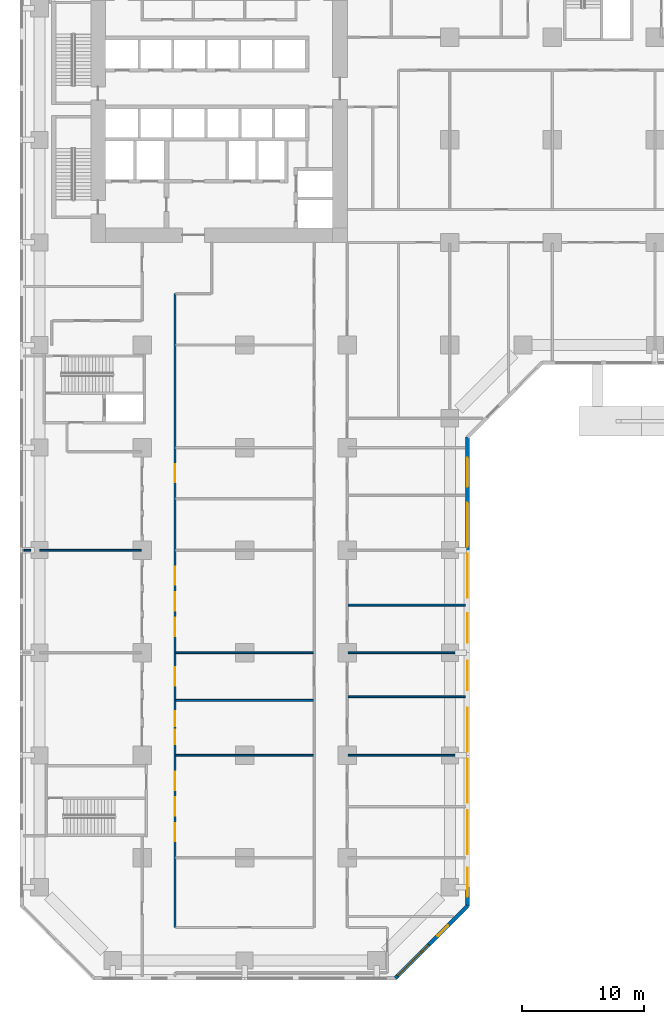
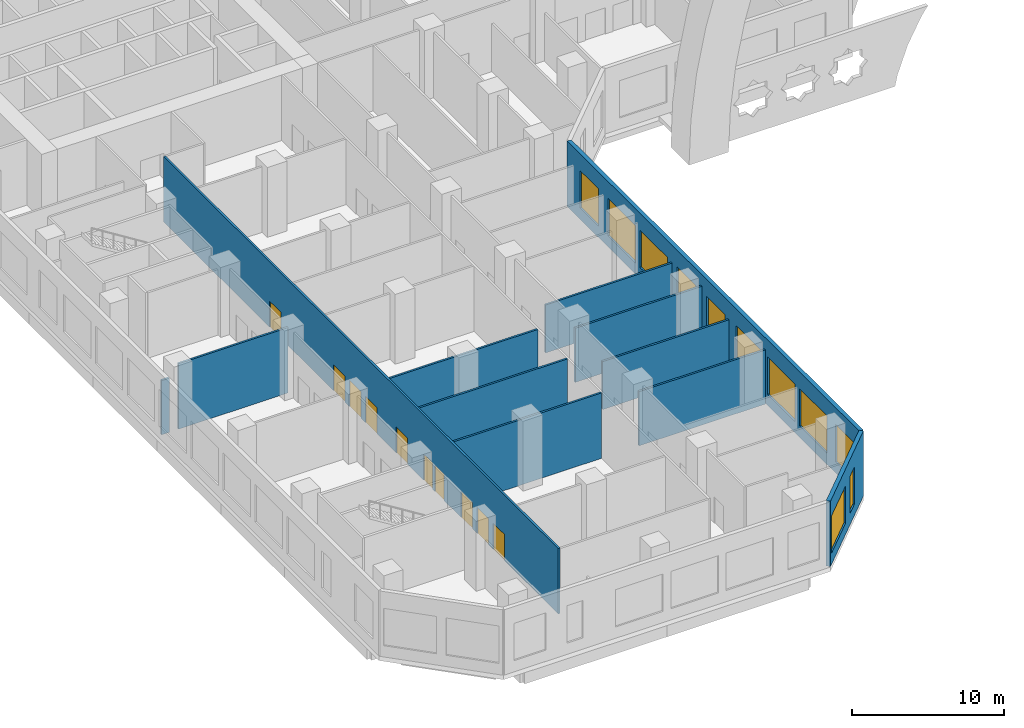
# One storey, part 4 of 19: 12 walls, 11 windows, 10 doors, 21 openings.
"""IFC4 building model written with IfcOpenShell, lengths in metres."""

from ifc_helpers import new_model, si_unit, direction, frame, frame_2d, origin, place, context, subcontext, project, spatial, rectangle, extrude, material, layer, layer_set, type_object, element, fill, save


model = new_model("IFC4")

# Units and contexts
model_context = context("Model", 3, precision=1e-05, world=origin(), true_north=direction((0.0, 1.0)))
body_context = subcontext(model_context, "Body", "Model", "MODEL_VIEW")
ifc_project = project(units=[si_unit("LENGTHUNIT", "METRE"), si_unit("AREAUNIT", "SQUARE_METRE"), si_unit("VOLUMEUNIT", "CUBIC_METRE"), si_unit("PLANEANGLEUNIT", "RADIAN"), si_unit("MASSUNIT", "GRAM", prefix="KILO")], contexts=[model_context])

# Site, building, storey
site_placement = place(None, origin())
site = spatial("IfcSite", under=ifc_project, at=site_placement, CompositionType="ELEMENT")
building_placement = place(site_placement, origin())
building = spatial("IfcBuilding", under=site, at=building_placement, Name="Kawkab Arch Medical Tower", CompositionType="ELEMENT")
storey_placement = place(building_placement, frame((0.0, 0.0, 12.60009765625)))
storey = spatial("IfcBuildingStorey", under=building, at=storey_placement, Name="L03", CompositionType="ELEMENT", Elevation=12.60009765625)

# Walls
ifc_material_1 = material(Name="Gypsum board partition on steel studs, mineral wool", Category="steel")
ifc_layer_1 = layer(ifc_material_1, 0.14990234375)
ifc_layer_set_1 = layer_set([ifc_layer_1], Name="Gypsum board partition on steel studs, mineral wool")
wall_type_1 = type_object("IfcWallType", Name="Partition 150", PredefinedType="PARTITIONING", material=ifc_layer_set_1)
wall_1_placement = place(storey_placement, frame((11.175048828125, -67.199951171875, 0.0), z_axis=(0.0, 0.0, 1.0), x_axis=(1.0, 0.0, 0.0)))
element("IfcWall", 1, at=wall_1_placement, inside=storey, type_object=wall_type_1, Name="Partition 150 w009", PredefinedType="PARTITIONING", context=body_context, shape_type="SweptSolid", body=[
    extrude(rectangle(XDim=11.25, YDim=0.14990234375, at=frame_2d((5.625, 0.0))), origin(), (0.0, 0.0, 1.0), 5.25),
])
wall_2_placement = place(storey_placement, frame((25.27490234375, -67.199951171875, 0.0), z_axis=(0.0, 0.0, 1.0), x_axis=(1.0, 0.0, 0.0)))
element("IfcWall", 2, at=wall_2_placement, inside=storey, type_object=wall_type_1, Name="Partition 150 w010", PredefinedType="PARTITIONING", context=body_context, shape_type="SweptSolid", body=[
    extrude(rectangle(XDim=9.60498046875, YDim=0.14990234375, at=frame_2d((4.802490234375, 0.0))), origin(), (0.0, 0.0, 1.0), 4.349853515625),
])
wall_3_placement = place(storey_placement, frame((11.175048828125, -62.699951171875, 0.0), z_axis=(0.0, 0.0, 1.0), x_axis=(1.0, 0.0, 0.0)))
element("IfcWall", 3, at=wall_3_placement, inside=storey, type_object=wall_type_1, Name="Partition 150 w011", PredefinedType="PARTITIONING", context=body_context, shape_type="SweptSolid", body=[
    extrude(rectangle(XDim=11.25, YDim=0.14990234375, at=frame_2d((5.625, 0.0))), origin(), (0.0, 0.0, 1.0), 5.25),
])
wall_4_placement = place(storey_placement, frame((25.27490234375, -62.39990234375, 0.0), z_axis=(0.0, 0.0, 1.0), x_axis=(1.0, 0.0, 0.0)))
element("IfcWall", 4, at=wall_4_placement, inside=storey, type_object=wall_type_1, Name="Partition 150 w012", PredefinedType="PARTITIONING", context=body_context, shape_type="SweptSolid", body=[
    extrude(rectangle(XDim=9.60498046875, YDim=0.14990234375, at=frame_2d((4.802490234375, 0.0))), origin(), (0.0, 0.0, 1.0), 3.849853515625),
])
wall_5_placement = place(storey_placement, frame((11.175048828125, -58.800048828125, 0.0), z_axis=(0.0, 0.0, 1.0), x_axis=(1.0, 0.0, 0.0)))
element("IfcWall", 5, at=wall_5_placement, inside=storey, type_object=wall_type_1, Name="Partition 150 w015", PredefinedType="PARTITIONING", context=body_context, shape_type="SweptSolid", body=[
    extrude(rectangle(XDim=11.25, YDim=0.14990234375, at=frame_2d((5.625, 0.0))), origin(), (0.0, 0.0, 1.0), 5.25),
])
wall_6_placement = place(storey_placement, frame((25.27490234375, -58.800048828125, 0.0), z_axis=(0.0, 0.0, 1.0), x_axis=(1.0, 0.0, 0.0)))
element("IfcWall", 6, at=wall_6_placement, inside=storey, type_object=wall_type_1, Name="Partition 150 w016", PredefinedType="PARTITIONING", context=body_context, shape_type="SweptSolid", body=[
    extrude(rectangle(XDim=9.60498046875, YDim=0.14990234375, at=frame_2d((4.802490234375, 0.0))), origin(), (0.0, 0.0, 1.0), 4.349853515625),
])
wall_7_placement = place(storey_placement, frame((25.27490234375, -54.89990234375, 0.0), z_axis=(0.0, 0.0, 1.0), x_axis=(1.0, 0.0, 0.0)))
element("IfcWall", 7, at=wall_7_placement, inside=storey, type_object=wall_type_1, Name="Partition 150 w017", PredefinedType="PARTITIONING", context=body_context, shape_type="SweptSolid", body=[
    extrude(rectangle(XDim=9.60498046875, YDim=0.14990234375, at=frame_2d((4.802490234375, 0.0))), origin(), (0.0, 0.0, 1.0), 3.849853515625),
])
wall_8_placement = place(storey_placement, frame((-1.280029296875, -50.39990234375, 0.0), z_axis=(0.0, 0.0, 1.0), x_axis=(1.0, 0.0, 0.0)))
element("IfcWall", 8, at=wall_8_placement, inside=storey, type_object=wall_type_1, Name="Partition 150 w018", PredefinedType="PARTITIONING", context=body_context, shape_type="SweptSolid", body=[
    extrude(rectangle(XDim=0.580078125, YDim=0.14990234375, at=frame_2d((0.2900390625, 0.0))), origin(), (0.0, 0.0, 1.0), 4.349853515625),
])
wall_9_placement = place(storey_placement, frame((0.001953125, -50.39990234375, 0.0), z_axis=(0.0, 0.0, 1.0), x_axis=(1.0, 0.0, 0.0)))
element("IfcWall", 9, at=wall_9_placement, inside=storey, type_object=wall_type_1, Name="Partition 150 w019", PredefinedType="PARTITIONING", context=body_context, shape_type="SweptSolid", body=[
    extrude(rectangle(XDim=8.322998046875, YDim=0.14990234375, at=frame_2d((4.16162109375, 0.0))), origin(), (0.0, 0.0, 1.0), 5.25),
])

# Wall, openings, doors
wall_10_placement = place(storey_placement, frame((11.10009765625, -81.300048828125, 0.0), z_axis=(0.0, 0.0, 1.0), x_axis=(0.0, 1.0, 0.0)))
wall_10 = element("IfcWall", 10, at=wall_10_placement, inside=storey, type_object=wall_type_1, Name="Partition 150 w053", PredefinedType="PARTITIONING", context=body_context, shape_type="SweptSolid", body=[
    extrude(rectangle(XDim=51.900146484375, YDim=0.14990234375, at=frame_2d((25.9501953125, 0.0))), origin(), (0.0, 0.0, 1.0), 5.25),
])
opening_1_placement = place(wall_10_placement, frame((36.449951171875, 0.0, 0.0)))
opening_1 = element("IfcOpeningElement", 11, at=opening_1_placement, cuts=wall_10, Name="Opening P03-038", PredefinedType="OPENING", context=body_context, shape_type="SweptSolid", body=[
    extrude(rectangle(XDim=1.5, YDim=2.10009765625, at=frame_2d((0.75, 1.050048828125))), frame((0.0, 0.0849609375, 0.0), z_axis=(0.0, -1.0, 0.0), x_axis=(1.0, 0.0, 0.0)), (0.0, 0.0, 1.0), 0.169921875),
])
opening_2_placement = place(wall_10_placement, frame((28.050048828125, 0.0, 0.0)))
opening_2 = element("IfcOpeningElement", 12, at=opening_2_placement, cuts=wall_10, Name="Opening P03-040", PredefinedType="OPENING", context=body_context, shape_type="SweptSolid", body=[
    extrude(rectangle(XDim=1.5, YDim=2.10009765625, at=frame_2d((0.75, 1.050048828125))), frame((0.0, 0.0849609375, 0.0), z_axis=(0.0, -1.0, 0.0), x_axis=(1.0, 0.0, 0.0)), (0.0, 0.0, 1.0), 0.169921875),
])
opening_3_placement = place(wall_10_placement, frame((25.949951171875, 0.0, 0.0)))
opening_3 = element("IfcOpeningElement", 13, at=opening_3_placement, cuts=wall_10, Name="Opening P03-041", PredefinedType="OPENING", context=body_context, shape_type="SweptSolid", body=[
    extrude(rectangle(XDim=1.5, YDim=2.10009765625, at=frame_2d((0.75, 1.050048828125))), frame((0.0, 0.0849609375, 0.0), z_axis=(0.0, -1.0, 0.0), x_axis=(1.0, 0.0, 0.0)), (0.0, 0.0, 1.0), 0.169921875),
])
opening_4_placement = place(wall_10_placement, frame((23.85009765625, 0.0, 0.0)))
opening_4 = element("IfcOpeningElement", 14, at=opening_4_placement, cuts=wall_10, Name="Opening P03-042", PredefinedType="OPENING", context=body_context, shape_type="SweptSolid", body=[
    extrude(rectangle(XDim=1.5, YDim=2.10009765625, at=frame_2d((0.75, 1.050048828125))), frame((0.0, 0.0849609375, 0.0), z_axis=(0.0, -1.0, 0.0), x_axis=(1.0, 0.0, 0.0)), (0.0, 0.0, 1.0), 0.169921875),
])
opening_5_placement = place(wall_10_placement, frame((19.800048828125, 0.0, 0.0)))
opening_5 = element("IfcOpeningElement", 15, at=opening_5_placement, cuts=wall_10, Name="Opening P03-043", PredefinedType="OPENING", context=body_context, shape_type="SweptSolid", body=[
    extrude(rectangle(XDim=1.5, YDim=2.10009765625, at=frame_2d((0.75, 1.050048828125))), frame((0.0, 0.0849609375, 0.0), z_axis=(0.0, -1.0, 0.0), x_axis=(1.0, 0.0, 0.0)), (0.0, 0.0, 1.0), 0.169921875),
])
opening_6_placement = place(wall_10_placement, frame((16.5, 0.0, 0.0)))
opening_6 = element("IfcOpeningElement", 16, at=opening_6_placement, cuts=wall_10, Name="Opening P03-074", PredefinedType="OPENING", context=body_context, shape_type="SweptSolid", body=[
    extrude(rectangle(XDim=1.199951171875, YDim=2.10009765625, at=frame_2d((0.60009765625, 1.050048828125))), frame((0.0, 0.0849609375, 0.0), z_axis=(0.0, -1.0, 0.0), x_axis=(1.0, 0.0, 0.0)), (0.0, 0.0, 1.0), 0.169921875),
])
opening_7_placement = place(wall_10_placement, frame((15.0, 0.0, 0.0)))
opening_7 = element("IfcOpeningElement", 17, at=opening_7_placement, cuts=wall_10, Name="Opening P03-075", PredefinedType="OPENING", context=body_context, shape_type="SweptSolid", body=[
    extrude(rectangle(XDim=1.199951171875, YDim=2.10009765625, at=frame_2d((0.60009765625, 1.050048828125))), frame((0.0, 0.0849609375, 0.0), z_axis=(0.0, -1.0, 0.0), x_axis=(1.0, 0.0, 0.0)), (0.0, 0.0, 1.0), 0.169921875),
])
opening_8_placement = place(wall_10_placement, frame((11.25, 0.0, 0.0)))
opening_8 = element("IfcOpeningElement", 18, at=opening_8_placement, cuts=wall_10, Name="Opening P03-045", PredefinedType="OPENING", context=body_context, shape_type="SweptSolid", body=[
    extrude(rectangle(XDim=1.5, YDim=2.10009765625, at=frame_2d((0.75, 1.050048828125))), frame((0.0, 0.0849609375, 0.0), z_axis=(0.0, -1.0, 0.0), x_axis=(1.0, 0.0, 0.0)), (0.0, 0.0, 1.0), 0.169921875),
])
opening_9_placement = place(wall_10_placement, frame((9.14990234375, 0.0, 0.0)))
opening_9 = element("IfcOpeningElement", 19, at=opening_9_placement, cuts=wall_10, Name="Opening P03-046", PredefinedType="OPENING", context=body_context, shape_type="SweptSolid", body=[
    extrude(rectangle(XDim=1.5, YDim=2.10009765625, at=frame_2d((0.75, 1.050048828125))), frame((0.0, 0.0849609375, 0.0), z_axis=(0.0, -1.0, 0.0), x_axis=(1.0, 0.0, 0.0)), (0.0, 0.0, 1.0), 0.169921875),
])
opening_10_placement = place(wall_10_placement, frame((7.050048828125, 0.0, 0.0)))
opening_10 = element("IfcOpeningElement", 20, at=opening_10_placement, cuts=wall_10, Name="Opening P03-047", PredefinedType="OPENING", context=body_context, shape_type="SweptSolid", body=[
    extrude(rectangle(XDim=1.5, YDim=2.10009765625, at=frame_2d((0.75, 1.050048828125))), frame((0.0, 0.0849609375, 0.0), z_axis=(0.0, -1.0, 0.0), x_axis=(1.0, 0.0, 0.0)), (0.0, 0.0, 1.0), 0.169921875),
])
ifc_material_2 = material(Name="Hollow metal door leaf")
door_type_1 = type_object("IfcDoorType", Name="Double door 1500x2100 FD30S", OperationType="NOTDEFINED", PredefinedType="DOOR", material=ifc_material_2)
door_1_placement = place(opening_1_placement, origin())
door_1 = element("IfcDoor", 21, at=door_1_placement, inside=storey, type_object=door_type_1, Name="Door P03-038", OperationType="DOUBLE_DOOR_SINGLE_SWING", OverallHeight=2.10009765625, OverallWidth=1.5, PredefinedType="DOOR", context=body_context, shape_type="SweptSolid", body=[
    extrude(rectangle(XDim=1.5, YDim=2.10009765625, at=frame_2d((0.75, 1.050048828125))), frame((0.0, 0.02490234375, 0.0), z_axis=(0.0, -1.0, 0.0), x_axis=(1.0, 0.0, 0.0)), (0.0, 0.0, 1.0), 0.050048828125),
])
fill(opening_1, door_1)
door_2_placement = place(opening_2_placement, origin())
door_2 = element("IfcDoor", 22, at=door_2_placement, inside=storey, type_object=door_type_1, Name="Door P03-040", OperationType="DOUBLE_DOOR_SINGLE_SWING", OverallHeight=2.10009765625, OverallWidth=1.5, PredefinedType="DOOR", context=body_context, shape_type="SweptSolid", body=[
    extrude(rectangle(XDim=1.5, YDim=2.10009765625, at=frame_2d((0.75, 1.050048828125))), frame((0.0, 0.02490234375, 0.0), z_axis=(0.0, -1.0, 0.0), x_axis=(1.0, 0.0, 0.0)), (0.0, 0.0, 1.0), 0.050048828125),
])
fill(opening_2, door_2)
door_3_placement = place(opening_3_placement, origin())
door_3 = element("IfcDoor", 23, at=door_3_placement, inside=storey, type_object=door_type_1, Name="Door P03-041", OperationType="DOUBLE_DOOR_SINGLE_SWING", OverallHeight=2.10009765625, OverallWidth=1.5, PredefinedType="DOOR", context=body_context, shape_type="SweptSolid", body=[
    extrude(rectangle(XDim=1.5, YDim=2.10009765625, at=frame_2d((0.75, 1.050048828125))), frame((0.0, 0.02490234375, 0.0), z_axis=(0.0, -1.0, 0.0), x_axis=(1.0, 0.0, 0.0)), (0.0, 0.0, 1.0), 0.050048828125),
])
fill(opening_3, door_3)
door_4_placement = place(opening_4_placement, origin())
door_4 = element("IfcDoor", 24, at=door_4_placement, inside=storey, type_object=door_type_1, Name="Door P03-042", OperationType="DOUBLE_DOOR_SINGLE_SWING", OverallHeight=2.10009765625, OverallWidth=1.5, PredefinedType="DOOR", context=body_context, shape_type="SweptSolid", body=[
    extrude(rectangle(XDim=1.5, YDim=2.10009765625, at=frame_2d((0.75, 1.050048828125))), frame((0.0, 0.02490234375, 0.0), z_axis=(0.0, -1.0, 0.0), x_axis=(1.0, 0.0, 0.0)), (0.0, 0.0, 1.0), 0.050048828125),
])
fill(opening_4, door_4)
door_5_placement = place(opening_5_placement, origin())
door_5 = element("IfcDoor", 25, at=door_5_placement, inside=storey, type_object=door_type_1, Name="Door P03-043", OperationType="DOUBLE_DOOR_SINGLE_SWING", OverallHeight=2.10009765625, OverallWidth=1.5, PredefinedType="DOOR", context=body_context, shape_type="SweptSolid", body=[
    extrude(rectangle(XDim=1.5, YDim=2.10009765625, at=frame_2d((0.75, 1.050048828125))), frame((0.0, 0.02490234375, 0.0), z_axis=(0.0, -1.0, 0.0), x_axis=(1.0, 0.0, 0.0)), (0.0, 0.0, 1.0), 0.050048828125),
])
fill(opening_5, door_5)
door_6_placement = place(opening_8_placement, origin())
door_6 = element("IfcDoor", 26, at=door_6_placement, inside=storey, type_object=door_type_1, Name="Door P03-045", OperationType="DOUBLE_DOOR_SINGLE_SWING", OverallHeight=2.10009765625, OverallWidth=1.5, PredefinedType="DOOR", context=body_context, shape_type="SweptSolid", body=[
    extrude(rectangle(XDim=1.5, YDim=2.10009765625, at=frame_2d((0.75, 1.050048828125))), frame((0.0, 0.02490234375, 0.0), z_axis=(0.0, -1.0, 0.0), x_axis=(1.0, 0.0, 0.0)), (0.0, 0.0, 1.0), 0.050048828125),
])
fill(opening_8, door_6)
door_7_placement = place(opening_9_placement, origin())
door_7 = element("IfcDoor", 27, at=door_7_placement, inside=storey, type_object=door_type_1, Name="Door P03-046", OperationType="DOUBLE_DOOR_SINGLE_SWING", OverallHeight=2.10009765625, OverallWidth=1.5, PredefinedType="DOOR", context=body_context, shape_type="SweptSolid", body=[
    extrude(rectangle(XDim=1.5, YDim=2.10009765625, at=frame_2d((0.75, 1.050048828125))), frame((0.0, 0.02490234375, 0.0), z_axis=(0.0, -1.0, 0.0), x_axis=(1.0, 0.0, 0.0)), (0.0, 0.0, 1.0), 0.050048828125),
])
fill(opening_9, door_7)
door_8_placement = place(opening_10_placement, origin())
door_8 = element("IfcDoor", 28, at=door_8_placement, inside=storey, type_object=door_type_1, Name="Door P03-047", OperationType="DOUBLE_DOOR_SINGLE_SWING", OverallHeight=2.10009765625, OverallWidth=1.5, PredefinedType="DOOR", context=body_context, shape_type="SweptSolid", body=[
    extrude(rectangle(XDim=1.5, YDim=2.10009765625, at=frame_2d((0.75, 1.050048828125))), frame((0.0, 0.02490234375, 0.0), z_axis=(0.0, -1.0, 0.0), x_axis=(1.0, 0.0, 0.0)), (0.0, 0.0, 1.0), 0.050048828125),
])
fill(opening_10, door_8)
ifc_material_3 = material(Name="Hollow metal door leaf")
door_type_2 = type_object("IfcDoorType", Name="Single door 1200x2100 FD30S", OperationType="NOTDEFINED", PredefinedType="DOOR", material=ifc_material_3)
door_9_placement = place(opening_6_placement, origin())
door_9 = element("IfcDoor", 29, at=door_9_placement, inside=storey, type_object=door_type_2, Name="Door P03-074", OperationType="SINGLE_SWING_RIGHT", OverallHeight=2.10009765625, OverallWidth=1.199951171875, PredefinedType="DOOR", context=body_context, shape_type="SweptSolid", body=[
    extrude(rectangle(XDim=1.199951171875, YDim=2.10009765625, at=frame_2d((0.60009765625, 1.050048828125))), frame((0.0, 0.02490234375, 0.0), z_axis=(0.0, -1.0, 0.0), x_axis=(1.0, 0.0, 0.0)), (0.0, 0.0, 1.0), 0.050048828125),
])
fill(opening_6, door_9)
door_10_placement = place(opening_7_placement, origin())
door_10 = element("IfcDoor", 30, at=door_10_placement, inside=storey, type_object=door_type_2, Name="Door P03-075", OperationType="SINGLE_SWING_RIGHT", OverallHeight=2.10009765625, OverallWidth=1.199951171875, PredefinedType="DOOR", context=body_context, shape_type="SweptSolid", body=[
    extrude(rectangle(XDim=1.199951171875, YDim=2.10009765625, at=frame_2d((0.60009765625, 1.050048828125))), frame((0.0, 0.02490234375, 0.0), z_axis=(0.0, -1.0, 0.0), x_axis=(1.0, 0.0, 0.0)), (0.0, 0.0, 1.0), 0.050048828125),
])
fill(opening_7, door_10)

# Wall, openings, windows
ifc_material_4 = material(Name="Bronze clad insulated wall panel")
ifc_layer_2 = layer(ifc_material_4, 0.300048828125)
ifc_layer_set_2 = layer_set([ifc_layer_2], Name="Bronze clad insulated wall panel")
wall_type_2 = type_object("IfcWallType", Name="Podium external wall 300", PredefinedType="SOLIDWALL", material=ifc_layer_set_2)
wall_11_placement = place(storey_placement, frame((35.050048828125, -79.537841796875, 0.0), z_axis=(0.0, 0.0, 1.0), x_axis=(0.0, 1.0, 0.0)))
wall_11 = element("IfcWall", 31, at=wall_11_placement, inside=storey, type_object=wall_type_2, Name="Podium external wall L03 R01", PredefinedType="SOLIDWALL", context=body_context, shape_type="SweptSolid", body=[
    extrude(rectangle(XDim=38.39990234375, YDim=0.300048828125, at=frame_2d((19.199951171875, 0.0))), origin(), (0.0, 0.0, 1.0), 5.25),
])
opening_11_placement = place(wall_11_placement, frame((0.73779296875, 0.0, 0.89990234375)))
opening_11 = element("IfcOpeningElement", 32, at=opening_11_placement, cuts=wall_11, Name="Opening PBW240-30-S9", PredefinedType="OPENING", context=body_context, shape_type="SweptSolid", body=[
    extrude(rectangle(XDim=2.39990234375, YDim=3.0, at=frame_2d((1.199951171875, 1.5))), frame((0.0, 0.159912109375, 0.0), z_axis=(0.0, -1.0, 0.0), x_axis=(1.0, 0.0, 0.0)), (0.0, 0.0, 1.0), 0.320068359375),
])
opening_12_placement = place(wall_11_placement, frame((4.23779296875, 0.0, 0.89990234375)))
opening_12 = element("IfcOpeningElement", 33, at=opening_12_placement, cuts=wall_11, Name="Opening PBW360-30-S9", PredefinedType="OPENING", context=body_context, shape_type="SweptSolid", body=[
    extrude(rectangle(XDim=3.60009765625, YDim=3.0, at=frame_2d((1.800048828125, 1.5))), frame((0.0, 0.159912109375, 0.0), z_axis=(0.0, -1.0, 0.0), x_axis=(1.0, 0.0, 0.0)), (0.0, 0.0, 1.0), 0.320068359375),
])
opening_13_placement = place(wall_11_placement, frame((8.43798828125, 0.0, 0.89990234375)))
opening_13 = element("IfcOpeningElement", 34, at=opening_13_placement, cuts=wall_11, Name="Opening PBW360-30-S9", PredefinedType="OPENING", context=body_context, shape_type="SweptSolid", body=[
    extrude(rectangle(XDim=3.60009765625, YDim=3.0, at=frame_2d((1.800048828125, 1.5))), frame((0.0, 0.159912109375, 0.0), z_axis=(0.0, -1.0, 0.0), x_axis=(1.0, 0.0, 0.0)), (0.0, 0.0, 1.0), 0.320068359375),
])
opening_14_placement = place(wall_11_placement, frame((12.637939453125, 0.0, 0.89990234375)))
opening_14 = element("IfcOpeningElement", 35, at=opening_14_placement, cuts=wall_11, Name="Opening PBW360-30-S9", PredefinedType="OPENING", context=body_context, shape_type="SweptSolid", body=[
    extrude(rectangle(XDim=3.60009765625, YDim=3.0, at=frame_2d((1.800048828125, 1.5))), frame((0.0, 0.159912109375, 0.0), z_axis=(0.0, -1.0, 0.0), x_axis=(1.0, 0.0, 0.0)), (0.0, 0.0, 1.0), 0.320068359375),
])
opening_15_placement = place(wall_11_placement, frame((17.662841796875, 0.0, 0.89990234375)))
opening_15 = element("IfcOpeningElement", 36, at=opening_15_placement, cuts=wall_11, Name="Opening PBW240-30-S9", PredefinedType="OPENING", context=body_context, shape_type="SweptSolid", body=[
    extrude(rectangle(XDim=2.39990234375, YDim=3.0, at=frame_2d((1.199951171875, 1.5))), frame((0.0, 0.159912109375, 0.0), z_axis=(0.0, -1.0, 0.0), x_axis=(1.0, 0.0, 0.0)), (0.0, 0.0, 1.0), 0.320068359375),
])
opening_16_placement = place(wall_11_placement, frame((21.56298828125, 0.0, 0.89990234375)))
opening_16 = element("IfcOpeningElement", 37, at=opening_16_placement, cuts=wall_11, Name="Opening PBW240-30-S9", PredefinedType="OPENING", context=body_context, shape_type="SweptSolid", body=[
    extrude(rectangle(XDim=2.39990234375, YDim=3.0, at=frame_2d((1.199951171875, 1.5))), frame((0.0, 0.159912109375, 0.0), z_axis=(0.0, -1.0, 0.0), x_axis=(1.0, 0.0, 0.0)), (0.0, 0.0, 1.0), 0.320068359375),
])
opening_17_placement = place(wall_11_placement, frame((25.23779296875, 0.0, 0.89990234375)))
opening_17 = element("IfcOpeningElement", 38, at=opening_17_placement, cuts=wall_11, Name="Opening PBW360-30-S9", PredefinedType="OPENING", context=body_context, shape_type="SweptSolid", body=[
    extrude(rectangle(XDim=3.60009765625, YDim=3.0, at=frame_2d((1.800048828125, 1.5))), frame((0.0, 0.159912109375, 0.0), z_axis=(0.0, -1.0, 0.0), x_axis=(1.0, 0.0, 0.0)), (0.0, 0.0, 1.0), 0.320068359375),
])
opening_18_placement = place(wall_11_placement, frame((29.43798828125, 0.0, 0.89990234375)))
opening_18 = element("IfcOpeningElement", 39, at=opening_18_placement, cuts=wall_11, Name="Opening PBW360-30-S9", PredefinedType="OPENING", context=body_context, shape_type="SweptSolid", body=[
    extrude(rectangle(XDim=3.60009765625, YDim=3.0, at=frame_2d((1.800048828125, 1.5))), frame((0.0, 0.159912109375, 0.0), z_axis=(0.0, -1.0, 0.0), x_axis=(1.0, 0.0, 0.0)), (0.0, 0.0, 1.0), 0.320068359375),
])
opening_19_placement = place(wall_11_placement, frame((34.31298828125, 0.0, 0.89990234375)))
opening_19 = element("IfcOpeningElement", 40, at=opening_19_placement, cuts=wall_11, Name="Opening PBW240-30-S9", PredefinedType="OPENING", context=body_context, shape_type="SweptSolid", body=[
    extrude(rectangle(XDim=2.39990234375, YDim=3.0, at=frame_2d((1.199951171875, 1.5))), frame((0.0, 0.159912109375, 0.0), z_axis=(0.0, -1.0, 0.0), x_axis=(1.0, 0.0, 0.0)), (0.0, 0.0, 1.0), 0.320068359375),
])
ifc_material_5 = material(Name="Bronze anodised aluminium louvred window", Category="aluminium")
window_type_1 = type_object("IfcWindowType", Name="Podium band window 2400 x 3000 sill 900", PartitioningType="DOUBLE_PANEL_VERTICAL", PredefinedType="WINDOW", material=ifc_material_5)
window_1_placement = place(opening_11_placement, origin())
window_1 = element("IfcWindow", 41, at=window_1_placement, inside=storey, type_object=window_type_1, Name="Band window L03 R01.1", OverallHeight=3.0, OverallWidth=2.39990234375, PartitioningType="SINGLE_PANEL", PredefinedType="WINDOW", context=body_context, shape_type="SweptSolid", body=[
    extrude(rectangle(XDim=2.39990234375, YDim=3.0, at=frame_2d((1.199951171875, 1.5))), frame((0.0, 0.030029296875, 0.0), z_axis=(0.0, -1.0, 0.0), x_axis=(1.0, 0.0, 0.0)), (0.0, 0.0, 1.0), 0.06005859375),
])
fill(opening_11, window_1)
window_2_placement = place(opening_15_placement, origin())
window_2 = element("IfcWindow", 42, at=window_2_placement, inside=storey, type_object=window_type_1, Name="Band window L03 R01.5", OverallHeight=3.0, OverallWidth=2.39990234375, PartitioningType="SINGLE_PANEL", PredefinedType="WINDOW", context=body_context, shape_type="SweptSolid", body=[
    extrude(rectangle(XDim=2.39990234375, YDim=3.0, at=frame_2d((1.199951171875, 1.5))), frame((0.0, 0.030029296875, 0.0), z_axis=(0.0, -1.0, 0.0), x_axis=(1.0, 0.0, 0.0)), (0.0, 0.0, 1.0), 0.06005859375),
])
fill(opening_15, window_2)
window_3_placement = place(opening_16_placement, origin())
window_3 = element("IfcWindow", 43, at=window_3_placement, inside=storey, type_object=window_type_1, Name="Band window L03 R01.6", OverallHeight=3.0, OverallWidth=2.39990234375, PartitioningType="SINGLE_PANEL", PredefinedType="WINDOW", context=body_context, shape_type="SweptSolid", body=[
    extrude(rectangle(XDim=2.39990234375, YDim=3.0, at=frame_2d((1.199951171875, 1.5))), frame((0.0, 0.030029296875, 0.0), z_axis=(0.0, -1.0, 0.0), x_axis=(1.0, 0.0, 0.0)), (0.0, 0.0, 1.0), 0.06005859375),
])
fill(opening_16, window_3)
window_4_placement = place(opening_19_placement, origin())
window_4 = element("IfcWindow", 44, at=window_4_placement, inside=storey, type_object=window_type_1, Name="Band window L03 R01.9", OverallHeight=3.0, OverallWidth=2.39990234375, PartitioningType="SINGLE_PANEL", PredefinedType="WINDOW", context=body_context, shape_type="SweptSolid", body=[
    extrude(rectangle(XDim=2.39990234375, YDim=3.0, at=frame_2d((1.199951171875, 1.5))), frame((0.0, 0.030029296875, 0.0), z_axis=(0.0, -1.0, 0.0), x_axis=(1.0, 0.0, 0.0)), (0.0, 0.0, 1.0), 0.06005859375),
])
fill(opening_19, window_4)
ifc_material_6 = material(Name="Bronze anodised aluminium louvred window", Category="aluminium")
window_type_2 = type_object("IfcWindowType", Name="Podium band window 3600 x 3000 sill 900", PartitioningType="DOUBLE_PANEL_VERTICAL", PredefinedType="WINDOW", material=ifc_material_6)
window_5_placement = place(opening_12_placement, origin())
window_5 = element("IfcWindow", 45, at=window_5_placement, inside=storey, type_object=window_type_2, Name="Band window L03 R01.2", OverallHeight=3.0, OverallWidth=3.60009765625, PartitioningType="SINGLE_PANEL", PredefinedType="WINDOW", context=body_context, shape_type="SweptSolid", body=[
    extrude(rectangle(XDim=3.60009765625, YDim=3.0, at=frame_2d((1.800048828125, 1.5))), frame((0.0, 0.030029296875, 0.0), z_axis=(0.0, -1.0, 0.0), x_axis=(1.0, 0.0, 0.0)), (0.0, 0.0, 1.0), 0.06005859375),
])
fill(opening_12, window_5)
window_6_placement = place(opening_13_placement, origin())
window_6 = element("IfcWindow", 46, at=window_6_placement, inside=storey, type_object=window_type_2, Name="Band window L03 R01.3", OverallHeight=3.0, OverallWidth=3.60009765625, PartitioningType="SINGLE_PANEL", PredefinedType="WINDOW", context=body_context, shape_type="SweptSolid", body=[
    extrude(rectangle(XDim=3.60009765625, YDim=3.0, at=frame_2d((1.800048828125, 1.5))), frame((0.0, 0.030029296875, 0.0), z_axis=(0.0, -1.0, 0.0), x_axis=(1.0, 0.0, 0.0)), (0.0, 0.0, 1.0), 0.06005859375),
])
fill(opening_13, window_6)
window_7_placement = place(opening_14_placement, origin())
window_7 = element("IfcWindow", 47, at=window_7_placement, inside=storey, type_object=window_type_2, Name="Band window L03 R01.4", OverallHeight=3.0, OverallWidth=3.60009765625, PartitioningType="SINGLE_PANEL", PredefinedType="WINDOW", context=body_context, shape_type="SweptSolid", body=[
    extrude(rectangle(XDim=3.60009765625, YDim=3.0, at=frame_2d((1.800048828125, 1.5))), frame((0.0, 0.030029296875, 0.0), z_axis=(0.0, -1.0, 0.0), x_axis=(1.0, 0.0, 0.0)), (0.0, 0.0, 1.0), 0.06005859375),
])
fill(opening_14, window_7)
window_8_placement = place(opening_17_placement, origin())
window_8 = element("IfcWindow", 48, at=window_8_placement, inside=storey, type_object=window_type_2, Name="Band window L03 R01.7", OverallHeight=3.0, OverallWidth=3.60009765625, PartitioningType="SINGLE_PANEL", PredefinedType="WINDOW", context=body_context, shape_type="SweptSolid", body=[
    extrude(rectangle(XDim=3.60009765625, YDim=3.0, at=frame_2d((1.800048828125, 1.5))), frame((0.0, 0.030029296875, 0.0), z_axis=(0.0, -1.0, 0.0), x_axis=(1.0, 0.0, 0.0)), (0.0, 0.0, 1.0), 0.06005859375),
])
fill(opening_17, window_8)
window_9_placement = place(opening_18_placement, origin())
window_9 = element("IfcWindow", 49, at=window_9_placement, inside=storey, type_object=window_type_2, Name="Band window L03 R01.8", OverallHeight=3.0, OverallWidth=3.60009765625, PartitioningType="SINGLE_PANEL", PredefinedType="WINDOW", context=body_context, shape_type="SweptSolid", body=[
    extrude(rectangle(XDim=3.60009765625, YDim=3.0, at=frame_2d((1.800048828125, 1.5))), frame((0.0, 0.030029296875, 0.0), z_axis=(0.0, -1.0, 0.0), x_axis=(1.0, 0.0, 0.0)), (0.0, 0.0, 1.0), 0.06005859375),
])
fill(opening_18, window_9)

wall_12_placement = place(storey_placement, frame((29.137939453125, -85.449951171875, 0.0), z_axis=(0.0, 0.0, 1.0), x_axis=(0.707106781187, 0.707106781187, 0.0)))
wall_12 = element("IfcWall", 50, at=wall_12_placement, inside=storey, type_object=wall_type_2, Name="Podium external wall L03 R10", PredefinedType="SOLIDWALL", context=body_context, shape_type="SweptSolid", body=[
    extrude(rectangle(XDim=8.361083984375, YDim=0.300048828125, at=frame_2d((4.1806640625, 0.0))), origin(), (0.0, 0.0, 1.0), 5.25),
])
opening_20_placement = place(wall_12_placement, frame((0.259033203125, 0.0, 0.89990234375)))
opening_20 = element("IfcOpeningElement", 51, at=opening_20_placement, cuts=wall_12, Name="Opening PBW360-30-S9", PredefinedType="OPENING", context=body_context, shape_type="SweptSolid", body=[
    extrude(rectangle(XDim=3.60009765625, YDim=3.0, at=frame_2d((1.800048828125, 1.5))), frame((0.0, 0.159912109375, 0.0), z_axis=(0.0, -1.0, 0.0), x_axis=(1.0, 0.0, 0.0)), (0.0, 0.0, 1.0), 0.320068359375),
])
opening_21_placement = place(wall_12_placement, frame((4.9111328125, 0.0, 0.89990234375)))
opening_21 = element("IfcOpeningElement", 52, at=opening_21_placement, cuts=wall_12, Name="Opening PBW120-30-S9", PredefinedType="OPENING", context=body_context, shape_type="SweptSolid", body=[
    extrude(rectangle(XDim=1.199951171875, YDim=3.0, at=frame_2d((0.60009765625, 1.5))), frame((0.0, 0.159912109375, 0.0), z_axis=(0.0, -1.0, 0.0), x_axis=(1.0, 0.0, 0.0)), (0.0, 0.0, 1.0), 0.320068359375),
])
ifc_material_7 = material(Name="Bronze anodised aluminium louvred window", Category="aluminium")
window_type_3 = type_object("IfcWindowType", Name="Podium band window 1200 x 3000 sill 900", PartitioningType="DOUBLE_PANEL_VERTICAL", PredefinedType="WINDOW", material=ifc_material_7)
window_10_placement = place(opening_21_placement, origin())
window_10 = element("IfcWindow", 53, at=window_10_placement, inside=storey, type_object=window_type_3, Name="Band window L03 R10.2", OverallHeight=3.0, OverallWidth=1.199951171875, PartitioningType="SINGLE_PANEL", PredefinedType="WINDOW", context=body_context, shape_type="SweptSolid", body=[
    extrude(rectangle(XDim=1.199951171875, YDim=3.0, at=frame_2d((0.60009765625, 1.5))), frame((0.0, 0.030029296875, 0.0), z_axis=(0.0, -1.0, 0.0), x_axis=(1.0, 0.0, 0.0)), (0.0, 0.0, 1.0), 0.06005859375),
])
fill(opening_21, window_10)
window_11_placement = place(opening_20_placement, origin())
window_11 = element("IfcWindow", 54, at=window_11_placement, inside=storey, type_object=window_type_2, Name="Band window L03 R10.1", OverallHeight=3.0, OverallWidth=3.60009765625, PartitioningType="SINGLE_PANEL", PredefinedType="WINDOW", context=body_context, shape_type="SweptSolid", body=[
    extrude(rectangle(XDim=3.60009765625, YDim=3.0, at=frame_2d((1.800048828125, 1.5))), frame((0.0, 0.030029296875, 0.0), z_axis=(0.0, -1.0, 0.0), x_axis=(1.0, 0.0, 0.0)), (0.0, 0.0, 1.0), 0.06005859375),
])
fill(opening_20, window_11)

save(model, "model.ifc")
